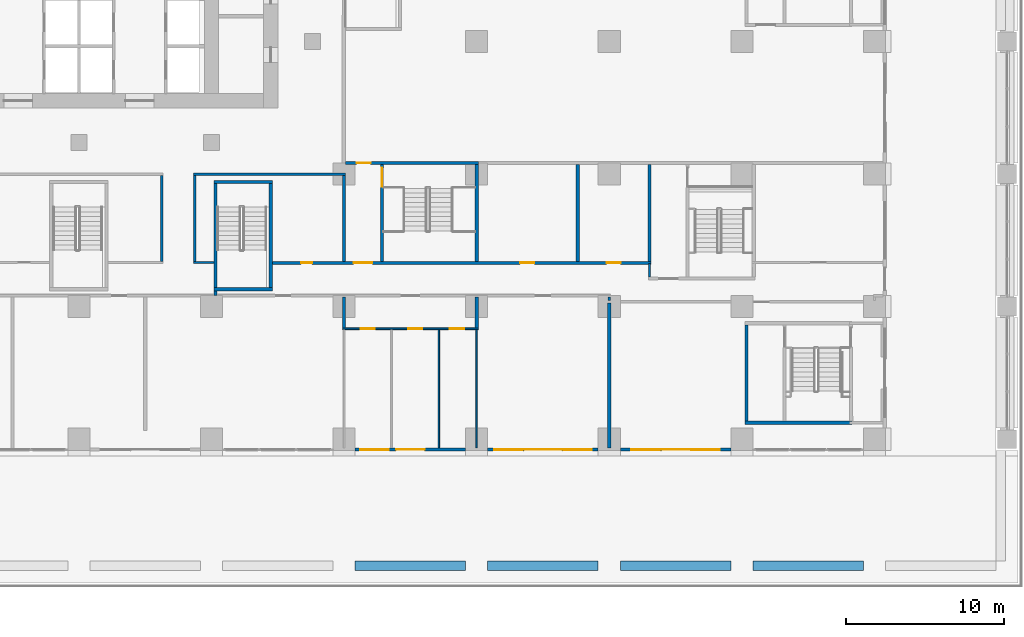
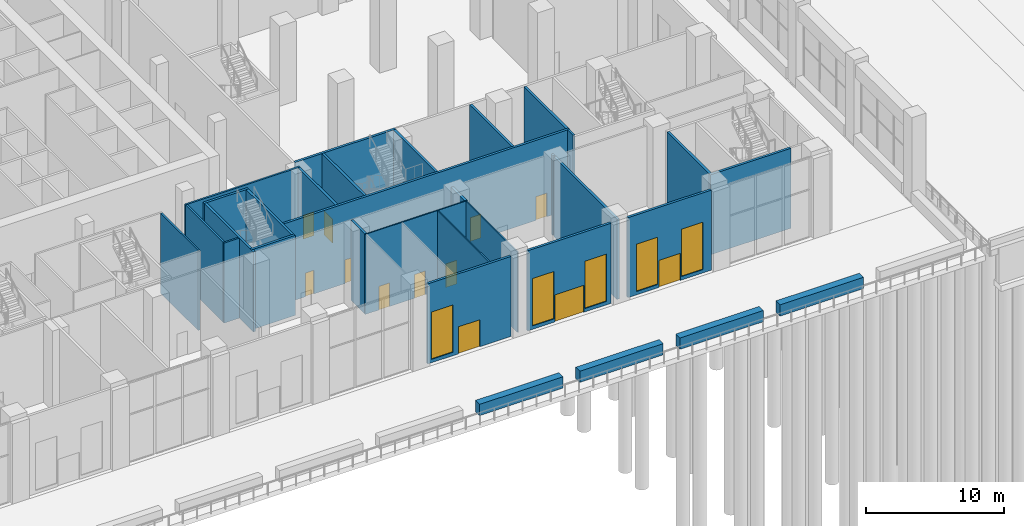
# One storey, part 26 of 53: 32 walls, 12 doors, 5 windows, 17 openings.
"""IFC4 building model written with IfcOpenShell, lengths in metres."""

from ifc_helpers import new_model, si_unit, direction, frame, frame_2d, origin, place, context, subcontext, project, spatial, rectangle, extrude, material, layer, layer_set, type_object, element, fill, save


model = new_model("IFC4")

# Units and contexts
model_context = context("Model", 3, precision=1e-05, world=origin(), true_north=direction((0.0, 1.0)))
body_context = subcontext(model_context, "Body", "Model", "MODEL_VIEW")
ifc_project = project(units=[si_unit("LENGTHUNIT", "METRE"), si_unit("AREAUNIT", "SQUARE_METRE"), si_unit("VOLUMEUNIT", "CUBIC_METRE"), si_unit("PLANEANGLEUNIT", "RADIAN"), si_unit("MASSUNIT", "GRAM", prefix="KILO")], contexts=[model_context])

# Site, building, storey
site_placement = place(None, origin())
site = spatial("IfcSite", under=ifc_project, at=site_placement, CompositionType="ELEMENT")
building_placement = place(site_placement, origin())
building = spatial("IfcBuilding", under=site, at=building_placement, Name="Vermilion Ogive Tower", CompositionType="ELEMENT")
storey_placement = place(building_placement, origin())
storey = spatial("IfcBuildingStorey", under=building, at=storey_placement, Name="L00", CompositionType="ELEMENT", Elevation=0.0)

# Wall, openings, doors
ifc_material_1 = material(Name="Gypsum board partition on steel studs", Category="steel")
ifc_layer_1 = layer(ifc_material_1, 0.10009765625)
ifc_layer_set_1 = layer_set([ifc_layer_1], Name="Partition 100 bath")
wall_type_1 = type_object("IfcWallType", Name="Partition 100 bath", PredefinedType="PARTITIONING", material=ifc_layer_set_1)
wall_1_placement = place(storey_placement, frame((16.699951171875, -22.39990234375, 0.0), z_axis=(0.0, 0.0, 1.0), x_axis=(1.0, 0.0, 0.0)))
wall_1 = element("IfcWall", 1, at=wall_1_placement, inside=storey, type_object=wall_type_1, Name="L00-FS-W-W007", PredefinedType="PARTITIONING", context=body_context, shape_type="SweptSolid", body=[
    extrude(rectangle(XDim=8.60009765625, YDim=0.10009765625, at=frame_2d((4.300048828125, 0.0))), origin(), (0.0, 0.0, 1.0), 7.10009765625),
])
opening_1_placement = place(wall_1_placement, frame((1.150146484375, 0.0, 0.0)))
opening_1 = element("IfcOpeningElement", 2, at=opening_1_placement, cuts=wall_1, Name="Opening L00S052", PredefinedType="OPENING", context=body_context, shape_type="SweptSolid", body=[
    extrude(rectangle(XDim=0.89990234375, YDim=2.10009765625, at=frame_2d((0.449951171875, 1.050048828125))), frame((0.0, 0.06005859375, 0.0), z_axis=(0.0, -1.0, 0.0), x_axis=(1.0, 0.0, 0.0)), (0.0, 0.0, 1.0), 0.1201171875),
])
opening_2_placement = place(wall_1_placement, frame((4.150146484375, 0.0, 0.0)))
opening_2 = element("IfcOpeningElement", 3, at=opening_2_placement, cuts=wall_1, Name="Opening L00S053", PredefinedType="OPENING", context=body_context, shape_type="SweptSolid", body=[
    extrude(rectangle(XDim=0.89990234375, YDim=2.10009765625, at=frame_2d((0.449951171875, 1.050048828125))), frame((0.0, 0.06005859375, 0.0), z_axis=(0.0, -1.0, 0.0), x_axis=(1.0, 0.0, 0.0)), (0.0, 0.0, 1.0), 0.1201171875),
])
opening_3_placement = place(wall_1_placement, frame((6.800048828125, 0.0, 0.0)))
opening_3 = element("IfcOpeningElement", 4, at=opening_3_placement, cuts=wall_1, Name="Opening L00S054", PredefinedType="OPENING", context=body_context, shape_type="SweptSolid", body=[
    extrude(rectangle(XDim=0.89990234375, YDim=2.10009765625, at=frame_2d((0.449951171875, 1.050048828125))), frame((0.0, 0.06005859375, 0.0), z_axis=(0.0, -1.0, 0.0), x_axis=(1.0, 0.0, 0.0)), (0.0, 0.0, 1.0), 0.1201171875),
])
ifc_material_2 = material(Name="Timber door leaf", Category="wood")
door_type_1 = type_object("IfcDoorType", Name="Room door 900 x 2100 FD30", OperationType="SINGLE_SWING_LEFT", PredefinedType="DOOR", material=ifc_material_2)
door_1_placement = place(opening_1_placement, origin())
door_1 = element("IfcDoor", 5, at=door_1_placement, inside=storey, type_object=door_type_1, Name="L00-FS-D-D052", OperationType="SINGLE_SWING_RIGHT", OverallHeight=2.10009765625, OverallWidth=0.89990234375, PredefinedType="DOOR", context=body_context, shape_type="SweptSolid", body=[
    extrude(rectangle(XDim=0.89990234375, YDim=2.10009765625, at=frame_2d((0.449951171875, 1.050048828125))), frame((0.0, 0.02490234375, 0.0), z_axis=(0.0, -1.0, 0.0), x_axis=(1.0, 0.0, 0.0)), (0.0, 0.0, 1.0), 0.050048828125),
])
fill(opening_1, door_1)
door_2_placement = place(opening_2_placement, origin())
door_2 = element("IfcDoor", 6, at=door_2_placement, inside=storey, type_object=door_type_1, Name="L00-FS-D-D053", OperationType="SINGLE_SWING_RIGHT", OverallHeight=2.10009765625, OverallWidth=0.89990234375, PredefinedType="DOOR", context=body_context, shape_type="SweptSolid", body=[
    extrude(rectangle(XDim=0.89990234375, YDim=2.10009765625, at=frame_2d((0.449951171875, 1.050048828125))), frame((0.0, 0.02490234375, 0.0), z_axis=(0.0, -1.0, 0.0), x_axis=(1.0, 0.0, 0.0)), (0.0, 0.0, 1.0), 0.050048828125),
])
fill(opening_2, door_2)
door_3_placement = place(opening_3_placement, origin())
door_3 = element("IfcDoor", 7, at=door_3_placement, inside=storey, type_object=door_type_1, Name="L00-FS-D-D054", OperationType="SINGLE_SWING_RIGHT", OverallHeight=2.10009765625, OverallWidth=0.89990234375, PredefinedType="DOOR", context=body_context, shape_type="SweptSolid", body=[
    extrude(rectangle(XDim=0.89990234375, YDim=2.10009765625, at=frame_2d((0.449951171875, 1.050048828125))), frame((0.0, 0.02490234375, 0.0), z_axis=(0.0, -1.0, 0.0), x_axis=(1.0, 0.0, 0.0)), (0.0, 0.0, 1.0), 0.050048828125),
])
fill(opening_3, door_3)

# Walls
for number, where, z_axis, x_axis, name in (
    (8, (22.800048828125, -29.949951171875, 0.0), (0.0, 0.0, 1.0), (0.0, 1.0, 0.0), "L00-FS-W-W096"),
    (9, (25.199951171875, -29.949951171875, 0.0), (0.0, 0.0, 1.0), (0.0, 1.0, 0.0), "L00-FS-W-W097"),
):
    element("IfcWall", number, at=place(storey_placement, frame(where, z_axis=z_axis, x_axis=x_axis)), inside=storey, type_object=wall_type_1, Name=name, PredefinedType="PARTITIONING", context=body_context, shape_type="SweptSolid", body=[
        extrude(rectangle(XDim=7.5, YDim=0.10009765625, at=frame_2d((3.75, 0.0))), origin(), (0.0, 0.0, 1.0), 7.10009765625),
    ])
ifc_material_3 = material(Name="Gypsum board partition on steel studs", Category="steel")
ifc_layer_2 = layer(ifc_material_3, 0.14990234375)
ifc_layer_set_2 = layer_set([ifc_layer_2], Name="Partition 150 corridor")
wall_type_2 = type_object("IfcWallType", Name="Partition 150 corridor", PredefinedType="PARTITIONING", material=ifc_layer_set_2)
wall_2_placement = place(storey_placement, frame((7.27490234375, -18.199951171875, 0.0), z_axis=(0.0, 0.0, 1.0), x_axis=(1.0, 0.0, 0.0)))
element("IfcWall", 10, at=wall_2_placement, inside=storey, type_object=wall_type_2, Name="L00-FS-W-W019", PredefinedType="PARTITIONING", context=body_context, shape_type="SweptSolid", body=[
    extrude(rectangle(XDim=1.275146484375, YDim=0.14990234375, at=frame_2d((0.6376953125, 0.0))), origin(), (0.0, 0.0, 1.0), 7.10009765625),
])
wall_3_placement = place(storey_placement, frame((7.27490234375, -12.60009765625, 0.0), z_axis=(0.0, 0.0, 1.0), x_axis=(1.0, 0.0, 0.0)))
element("IfcWall", 11, at=wall_3_placement, inside=storey, type_object=wall_type_2, Name="L00-FS-W-W024", PredefinedType="PARTITIONING", context=body_context, shape_type="SweptSolid", body=[
    extrude(rectangle(XDim=9.625, YDim=0.14990234375, at=frame_2d((4.8125, 0.0))), origin(), (0.0, 0.0, 1.0), 7.10009765625),
])
for number, where, z_axis, x_axis, name in (
    (12, (5.25, -18.125, 0.0), (0.0, 0.0, 1.0), (0.0, 1.0, 0.0), "L00-FS-W-W085"),
    (13, (7.35009765625, -18.125, 0.0), (0.0, 0.0, 1.0), (0.0, 1.0, 0.0), "L00-FS-W-W086"),
):
    element("IfcWall", number, at=place(storey_placement, frame(where, z_axis=z_axis, x_axis=x_axis)), inside=storey, type_object=wall_type_2, Name=name, PredefinedType="PARTITIONING", context=body_context, shape_type="SweptSolid", body=[
        extrude(rectangle(XDim=5.449951171875, YDim=0.14990234375, at=frame_2d((2.72509765625, 0.0))), origin(), (0.0, 0.0, 1.0), 7.10009765625),
    ])
wall_4_placement = place(storey_placement, frame((33.60009765625, -20.625, 0.0), z_axis=(0.0, 0.0, 1.0), x_axis=(0.0, 1.0, 0.0)))
element("IfcWall", 14, at=wall_4_placement, inside=storey, type_object=wall_type_2, Name="L00-FS-W-W103", PredefinedType="PARTITIONING", context=body_context, shape_type="SweptSolid", body=[
    extrude(rectangle(XDim=0.25, YDim=0.14990234375, at=frame_2d((0.125, 0.0))), origin(), (0.0, 0.0, 1.0), 7.10009765625),
])
wall_5_placement = place(storey_placement, frame((36.14990234375, -19.125, 0.0), z_axis=(0.0, 0.0, 1.0), x_axis=(0.0, 1.0, 0.0)))
element("IfcWall", 15, at=wall_5_placement, inside=storey, type_object=wall_type_2, Name="L00-FS-W-W105", PredefinedType="PARTITIONING", context=body_context, shape_type="SweptSolid", body=[
    extrude(rectangle(XDim=0.85009765625, YDim=0.14990234375, at=frame_2d((0.425048828125, 0.0))), origin(), (0.0, 0.0, 1.0), 7.10009765625),
])
ifc_material_4 = material(Name="Gypsum board partition on steel studs", Category="steel")
ifc_layer_3 = layer(ifc_material_4, 0.199951171875)
ifc_layer_set_3 = layer_set([ifc_layer_3], Name="Partition 200 party")
wall_type_3 = type_object("IfcWallType", Name="Partition 200 party", PredefinedType="PARTITIONING", material=ifc_layer_set_3)
wall_6_placement = place(storey_placement, frame((16.800048828125, -22.35009765625, 0.0), z_axis=(0.0, 0.0, 1.0), x_axis=(0.0, 1.0, 0.0)))
element("IfcWall", 16, at=wall_6_placement, inside=storey, type_object=wall_type_3, Name="L00-FS-W-W089", PredefinedType="PARTITIONING", context=body_context, shape_type="SweptSolid", body=[
    extrude(rectangle(XDim=1.97509765625, YDim=0.199951171875, at=frame_2d((0.987548828125, 0.0))), origin(), (0.0, 0.0, 1.0), 7.10009765625),
])
wall_7_placement = place(storey_placement, frame((16.800048828125, -18.125, 0.0), z_axis=(0.0, 0.0, 1.0), x_axis=(0.0, 1.0, 0.0)))
element("IfcWall", 17, at=wall_7_placement, inside=storey, type_object=wall_type_3, Name="L00-FS-W-W090", PredefinedType="PARTITIONING", context=body_context, shape_type="SweptSolid", body=[
    extrude(rectangle(XDim=5.449951171875, YDim=0.199951171875, at=frame_2d((2.72509765625, 0.0))), origin(), (0.0, 0.0, 1.0), 7.10009765625),
])
wall_8_placement = place(storey_placement, frame((25.199951171875, -22.35009765625, 0.0), z_axis=(0.0, 0.0, 1.0), x_axis=(0.0, 1.0, 0.0)))
element("IfcWall", 18, at=wall_8_placement, inside=storey, type_object=wall_type_3, Name="L00-FS-W-W098", PredefinedType="PARTITIONING", context=body_context, shape_type="SweptSolid", body=[
    extrude(rectangle(XDim=1.97509765625, YDim=0.199951171875, at=frame_2d((0.987548828125, 0.0))), origin(), (0.0, 0.0, 1.0), 7.10009765625),
])
wall_9_placement = place(storey_placement, frame((31.60009765625, -18.125, 0.0), z_axis=(0.0, 0.0, 1.0), x_axis=(0.0, 1.0, 0.0)))
element("IfcWall", 19, at=wall_9_placement, inside=storey, type_object=wall_type_3, Name="L00-FS-W-W101", PredefinedType="PARTITIONING", context=body_context, shape_type="SweptSolid", body=[
    extrude(rectangle(XDim=6.125, YDim=0.199951171875, at=frame_2d((3.0625, 0.0))), origin(), (0.0, 0.0, 1.0), 7.10009765625),
])
wall_10_placement = place(storey_placement, frame((33.60009765625, -29.949951171875, 0.0), z_axis=(0.0, 0.0, 1.0), x_axis=(0.0, 1.0, 0.0)))
element("IfcWall", 20, at=wall_10_placement, inside=storey, type_object=wall_type_3, Name="L00-FS-W-W102", PredefinedType="PARTITIONING", context=body_context, shape_type="SweptSolid", body=[
    extrude(rectangle(XDim=9.175048828125, YDim=0.199951171875, at=frame_2d((4.58740234375, 0.0))), origin(), (0.0, 0.0, 1.0), 7.10009765625),
])
wall_11_placement = place(storey_placement, frame((36.14990234375, -18.125, 0.0), z_axis=(0.0, 0.0, 1.0), x_axis=(0.0, 1.0, 0.0)))
element("IfcWall", 21, at=wall_11_placement, inside=storey, type_object=wall_type_3, Name="L00-FS-W-W106", PredefinedType="PARTITIONING", context=body_context, shape_type="SweptSolid", body=[
    extrude(rectangle(XDim=6.125, YDim=0.199951171875, at=frame_2d((3.0625, 0.0))), origin(), (0.0, 0.0, 1.0), 7.10009765625),
])
wall_12_placement = place(storey_placement, frame((42.300048828125, -28.25, 0.0), z_axis=(0.0, 0.0, 1.0), x_axis=(0.0, 1.0, 0.0)))
element("IfcWall", 22, at=wall_12_placement, inside=storey, type_object=wall_type_3, Name="L00-FS-W-W112", PredefinedType="PARTITIONING", context=body_context, shape_type="SweptSolid", body=[
    extrude(rectangle(XDim=6.10009765625, YDim=0.199951171875, at=frame_2d((3.050048828125, 0.0))), origin(), (0.0, 0.0, 1.0), 7.10009765625),
])
ifc_material_5 = material(Name="Concrete B60", Category="concrete")
ifc_layer_4 = layer(ifc_material_5, 0.199951171875)
ifc_layer_set_4 = layer_set([ifc_layer_4], Name="Stair shaft wall 200 Concrete B60")
wall_type_4 = type_object("IfcWallType", Name="Stair shaft wall 200 Concrete B60", PredefinedType="SOLIDWALL", material=ifc_layer_set_4)
wall_13_placement = place(storey_placement, frame((42.199951171875, -28.35009765625, 0.0), z_axis=(0.0, 0.0, 1.0), x_axis=(1.0, 0.0, 0.0)))
element("IfcWall", 23, at=wall_13_placement, inside=storey, type_object=wall_type_4, Name="L00-FS-W-W004", PredefinedType="SOLIDWALL", context=body_context, shape_type="SweptSolid", body=[
    extrude(rectangle(XDim=6.775146484375, YDim=0.199951171875, at=frame_2d((3.3876953125, 0.0))), origin(), (0.0, 0.0, 1.0), 7.10009765625),
])

# Wall, openings, doors
wall_14_placement = place(storey_placement, frame((12.25, -18.224853515625, 0.0), z_axis=(0.0, 0.0, 1.0), x_axis=(1.0, 0.0, 0.0)))
wall_14 = element("IfcWall", 24, at=wall_14_placement, inside=storey, type_object=wall_type_4, Name="L00-FS-W-W020", PredefinedType="SOLIDWALL", context=body_context, shape_type="SweptSolid", body=[
    extrude(rectangle(XDim=24.0, YDim=0.199951171875, at=frame_2d((12.0, 0.0))), origin(), (0.0, 0.0, 1.0), 7.10009765625),
])
opening_4_placement = place(wall_14_placement, frame((5.14990234375, 0.0, 0.0)))
opening_4 = element("IfcOpeningElement", 25, at=opening_4_placement, cuts=wall_14, Name="Opening L00S019", PredefinedType="OPENING", context=body_context, shape_type="SweptSolid", body=[
    extrude(rectangle(XDim=1.199951171875, YDim=2.10009765625, at=frame_2d((0.60009765625, 1.050048828125))), frame((0.0, 0.10986328125, 0.0), z_axis=(0.0, -1.0, 0.0), x_axis=(1.0, 0.0, 0.0)), (0.0, 0.0, 1.0), 0.219970703125),
])
opening_5_placement = place(wall_14_placement, frame((15.699951171875, 0.0, 0.0)))
opening_5 = element("IfcOpeningElement", 26, at=opening_5_placement, cuts=wall_14, Name="Opening L00S048", PredefinedType="OPENING", context=body_context, shape_type="SweptSolid", body=[
    extrude(rectangle(XDim=0.89990234375, YDim=2.10009765625, at=frame_2d((0.449951171875, 1.050048828125))), frame((0.0, 0.10986328125, 0.0), z_axis=(0.0, -1.0, 0.0), x_axis=(1.0, 0.0, 0.0)), (0.0, 0.0, 1.0), 0.219970703125),
])
opening_6_placement = place(wall_14_placement, frame((21.175048828125, 0.0, 0.0)))
opening_6 = element("IfcOpeningElement", 27, at=opening_6_placement, cuts=wall_14, Name="Opening L00S049", PredefinedType="OPENING", context=body_context, shape_type="SweptSolid", body=[
    extrude(rectangle(XDim=0.89990234375, YDim=2.10009765625, at=frame_2d((0.449951171875, 1.050048828125))), frame((0.0, 0.10986328125, 0.0), z_axis=(0.0, -1.0, 0.0), x_axis=(1.0, 0.0, 0.0)), (0.0, 0.0, 1.0), 0.219970703125),
])
opening_7_placement = place(wall_14_placement, frame((1.824951171875, 0.0, 0.0)))
opening_7 = element("IfcOpeningElement", 28, at=opening_7_placement, cuts=wall_14, Name="Opening L00S066", PredefinedType="OPENING", context=body_context, shape_type="SweptSolid", body=[
    extrude(rectangle(XDim=0.699951171875, YDim=2.10009765625, at=frame_2d((0.35009765625, 1.050048828125))), frame((0.0, 0.10986328125, 0.0), z_axis=(0.0, -1.0, 0.0), x_axis=(1.0, 0.0, 0.0)), (0.0, 0.0, 1.0), 0.219970703125),
])
ifc_material_6 = material(Name="Timber door leaf", Category="wood")
door_type_2 = type_object("IfcDoorType", Name="Room door 700 x 2100 FD30", OperationType="SINGLE_SWING_LEFT", PredefinedType="DOOR", material=ifc_material_6)
door_4_placement = place(opening_7_placement, origin())
door_4 = element("IfcDoor", 29, at=door_4_placement, inside=storey, type_object=door_type_2, Name="L00-FS-D-D066", OperationType="SINGLE_SWING_LEFT", OverallHeight=2.10009765625, OverallWidth=0.699951171875, PredefinedType="DOOR", context=body_context, shape_type="SweptSolid", body=[
    extrude(rectangle(XDim=0.699951171875, YDim=2.10009765625, at=frame_2d((0.35009765625, 1.050048828125))), frame((0.0, 0.02490234375, 0.0), z_axis=(0.0, -1.0, 0.0), x_axis=(1.0, 0.0, 0.0)), (0.0, 0.0, 1.0), 0.050048828125),
])
fill(opening_7, door_4)
door_5_placement = place(opening_5_placement, origin())
door_5 = element("IfcDoor", 30, at=door_5_placement, inside=storey, type_object=door_type_1, Name="L00-FS-D-D048", OperationType="SINGLE_SWING_LEFT", OverallHeight=2.10009765625, OverallWidth=0.89990234375, PredefinedType="DOOR", context=body_context, shape_type="SweptSolid", body=[
    extrude(rectangle(XDim=0.89990234375, YDim=2.10009765625, at=frame_2d((0.449951171875, 1.050048828125))), frame((0.0, 0.02490234375, 0.0), z_axis=(0.0, -1.0, 0.0), x_axis=(1.0, 0.0, 0.0)), (0.0, 0.0, 1.0), 0.050048828125),
])
fill(opening_5, door_5)
door_6_placement = place(opening_6_placement, origin())
door_6 = element("IfcDoor", 31, at=door_6_placement, inside=storey, type_object=door_type_1, Name="L00-FS-D-D049", OperationType="SINGLE_SWING_LEFT", OverallHeight=2.10009765625, OverallWidth=0.89990234375, PredefinedType="DOOR", context=body_context, shape_type="SweptSolid", body=[
    extrude(rectangle(XDim=0.89990234375, YDim=2.10009765625, at=frame_2d((0.449951171875, 1.050048828125))), frame((0.0, 0.02490234375, 0.0), z_axis=(0.0, -1.0, 0.0), x_axis=(1.0, 0.0, 0.0)), (0.0, 0.0, 1.0), 0.050048828125),
])
fill(opening_6, door_6)
ifc_material_7 = material(Name="Timber door leaf", Category="wood")
door_type_3 = type_object("IfcDoorType", Name="Stair door 1200 x 2100 FD60S", OperationType="SINGLE_SWING_LEFT", PredefinedType="DOOR", material=ifc_material_7)
door_7_placement = place(opening_4_placement, origin())
door_7 = element("IfcDoor", 32, at=door_7_placement, inside=storey, type_object=door_type_3, Name="L00-FS-D-D019", OperationType="SINGLE_SWING_LEFT", OverallHeight=2.10009765625, OverallWidth=1.199951171875, PredefinedType="DOOR", context=body_context, shape_type="SweptSolid", body=[
    extrude(rectangle(XDim=1.199951171875, YDim=2.10009765625, at=frame_2d((0.60009765625, 1.050048828125))), frame((0.0, 0.02490234375, 0.0), z_axis=(0.0, -1.0, 0.0), x_axis=(1.0, 0.0, 0.0)), (0.0, 0.0, 1.0), 0.050048828125),
])
fill(opening_4, door_7)

# Wall, opening, door
wall_15_placement = place(storey_placement, frame((16.875, -11.89990234375, 0.0), z_axis=(0.0, 0.0, 1.0), x_axis=(1.0, 0.0, 0.0)))
wall_15 = element("IfcWall", 33, at=wall_15_placement, inside=storey, type_object=wall_type_4, Name="L00-FS-W-W026", PredefinedType="SOLIDWALL", context=body_context, shape_type="SweptSolid", body=[
    extrude(rectangle(XDim=8.425048828125, YDim=0.199951171875, at=frame_2d((4.21240234375, 0.0))), origin(), (0.0, 0.0, 1.0), 7.10009765625),
])
opening_8_placement = place(wall_15_placement, frame((0.71240234375, 0.0, 0.0)))
opening_8 = element("IfcOpeningElement", 34, at=opening_8_placement, cuts=wall_15, Name="Opening L00S043", PredefinedType="OPENING", context=body_context, shape_type="SweptSolid", body=[
    extrude(rectangle(XDim=0.89990234375, YDim=2.10009765625, at=frame_2d((0.449951171875, 1.050048828125))), frame((0.0, 0.10986328125, 0.0), z_axis=(0.0, -1.0, 0.0), x_axis=(1.0, 0.0, 0.0)), (0.0, 0.0, 1.0), 0.219970703125),
])
door_8_placement = place(opening_8_placement, origin())
door_8 = element("IfcDoor", 35, at=door_8_placement, inside=storey, type_object=door_type_1, Name="L00-FS-D-D043", OperationType="SINGLE_SWING_LEFT", OverallHeight=2.10009765625, OverallWidth=0.89990234375, PredefinedType="DOOR", context=body_context, shape_type="SweptSolid", body=[
    extrude(rectangle(XDim=0.89990234375, YDim=2.10009765625, at=frame_2d((0.449951171875, 1.050048828125))), frame((0.0, 0.02490234375, 0.0), z_axis=(0.0, -1.0, 0.0), x_axis=(1.0, 0.0, 0.0)), (0.0, 0.0, 1.0), 0.050048828125),
])
fill(opening_8, door_8)

wall_16_placement = place(storey_placement, frame((19.199951171875, -18.125, 0.0), z_axis=(0.0, 0.0, 1.0), x_axis=(0.0, 1.0, 0.0)))
wall_16 = element("IfcWall", 36, at=wall_16_placement, inside=storey, type_object=wall_type_4, Name="L00-FS-W-W093", PredefinedType="SOLIDWALL", context=body_context, shape_type="SweptSolid", body=[
    extrude(rectangle(XDim=6.125, YDim=0.199951171875, at=frame_2d((3.0625, 0.0))), origin(), (0.0, 0.0, 1.0), 7.10009765625),
])
opening_9_placement = place(wall_16_placement, frame((4.72509765625, 0.0, 0.0)))
opening_9 = element("IfcOpeningElement", 37, at=opening_9_placement, cuts=wall_16, Name="Opening L00S003", PredefinedType="OPENING", context=body_context, shape_type="SweptSolid", body=[
    extrude(rectangle(XDim=1.199951171875, YDim=2.10009765625, at=frame_2d((0.60009765625, 1.050048828125))), frame((0.0, 0.10986328125, 0.0), z_axis=(0.0, -1.0, 0.0), x_axis=(1.0, 0.0, 0.0)), (0.0, 0.0, 1.0), 0.219970703125),
])
door_9_placement = place(opening_9_placement, origin())
door_9 = element("IfcDoor", 38, at=door_9_placement, inside=storey, type_object=door_type_3, Name="L00-FS-D-D003", OperationType="DOUBLE_DOOR_SINGLE_SWING", OverallHeight=2.10009765625, OverallWidth=1.199951171875, PredefinedType="DOOR", context=body_context, shape_type="SweptSolid", body=[
    extrude(rectangle(XDim=1.199951171875, YDim=2.10009765625, at=frame_2d((0.60009765625, 1.050048828125))), frame((0.0, 0.02490234375, 0.0), z_axis=(0.0, -1.0, 0.0), x_axis=(1.0, 0.0, 0.0)), (0.0, 0.0, 1.0), 0.050048828125),
])
fill(opening_9, door_9)

# Walls
wall_17_placement = place(storey_placement, frame((25.199951171875, -18.125, 0.0), z_axis=(0.0, 0.0, 1.0), x_axis=(0.0, 1.0, 0.0)))
element("IfcWall", 39, at=wall_17_placement, inside=storey, type_object=wall_type_4, Name="L00-FS-W-W099", PredefinedType="SOLIDWALL", context=body_context, shape_type="SweptSolid", body=[
    extrude(rectangle(XDim=6.125, YDim=0.199951171875, at=frame_2d((3.0625, 0.0))), origin(), (0.0, 0.0, 1.0), 7.10009765625),
])
for number, where, z_axis, x_axis, name in (
    (40, (8.550048828125, -19.89990234375, 0.0), (0.0, 0.0, 1.0), (1.0, 0.0, 0.0), "L00-SW-ST5-S1"),
    (41, (8.550048828125, -13.10009765625, 0.0), (0.0, 0.0, 1.0), (1.0, 0.0, 0.0), "L00-SW-ST5-N1"),
):
    element("IfcWall", number, at=place(storey_placement, frame(where, z_axis=z_axis, x_axis=x_axis)), inside=storey, type_object=wall_type_4, Name=name, PredefinedType="SOLIDWALL", context=body_context, shape_type="SweptSolid", body=[
        extrude(rectangle(XDim=3.699951171875, YDim=0.199951171875, at=frame_2d((1.85009765625, 0.0))), origin(), (0.0, 0.0, 1.0), 7.10009765625),
    ])
wall_18_placement = place(storey_placement, frame((8.64990234375, -20.300048828125, 0.0), z_axis=(0.0, 0.0, 1.0), x_axis=(0.0, 1.0, 0.0)))
element("IfcWall", 42, at=wall_18_placement, inside=storey, type_object=wall_type_4, Name="L00-SW-ST5-W1", PredefinedType="SOLIDWALL", context=body_context, shape_type="SweptSolid", body=[
    extrude(rectangle(XDim=7.10009765625, YDim=0.199951171875, at=frame_2d((3.550048828125, 0.0))), origin(), (0.0, 0.0, 1.0), 7.10009765625),
])
wall_19_placement = place(storey_placement, frame((12.14990234375, -19.800048828125, 0.0), z_axis=(0.0, 0.0, 1.0), x_axis=(0.0, 1.0, 0.0)))
element("IfcWall", 43, at=wall_19_placement, inside=storey, type_object=wall_type_4, Name="L00-SW-ST5-E1", PredefinedType="SOLIDWALL", context=body_context, shape_type="SweptSolid", body=[
    extrude(rectangle(XDim=6.60009765625, YDim=0.199951171875, at=frame_2d((3.300048828125, 0.0))), origin(), (0.0, 0.0, 1.0), 7.10009765625),
])
ifc_material_8 = material(Name="Concrete B40", Category="concrete")
ifc_layer_5 = layer(ifc_material_8, 0.60009765625)
ifc_layer_set_5 = layer_set([ifc_layer_5], Name="Terrace planter")
wall_type_5 = type_object("IfcWallType", Name="Terrace planter", PredefinedType="USERDEFINED", material=ifc_layer_set_5)
for number, where, z_axis, x_axis, name in (
    (44, (49.699951171875, -37.39990234375, 0.0), (0.0, 0.0, 1.0), (-1.0, 0.0, 0.0), "Terrace planter 1.1.23"),
    (45, (41.300048828125, -37.39990234375, 0.0), (0.0, 0.0, 1.0), (-1.0, 0.0, 0.0), "Terrace planter 1.1.24"),
    (46, (32.89990234375, -37.39990234375, 0.0), (0.0, 0.0, 1.0), (-1.0, 0.0, 0.0), "Terrace planter 1.1.25"),
    (47, (24.5, -37.39990234375, 0.0), (0.0, 0.0, 1.0), (-1.0, 0.0, 0.0), "Terrace planter 1.1.26"),
):
    element("IfcWall", number, at=place(storey_placement, frame(where, z_axis=z_axis, x_axis=x_axis)), inside=storey, type_object=wall_type_5, Name=name, ObjectType="PLANTER", PredefinedType="USERDEFINED", context=body_context, shape_type="SweptSolid", body=[
        extrude(rectangle(XDim=7.0, YDim=0.60009765625, at=frame_2d((3.5, 0.0))), origin(), (0.0, 0.0, 1.0), 1.0),
    ])

# Wall, openings, window, door
ifc_material_9 = material(Name="Aluminium window wall framing", Category="aluminium")
ifc_layer_6 = layer(ifc_material_9, 0.199951171875)
ifc_layer_set_6 = layer_set([ifc_layer_6], Name="Window wall")
wall_type_6 = type_object("IfcWallType", Name="Window wall", PredefinedType="STANDARD", material=ifc_layer_set_6)
wall_20_placement = place(storey_placement, frame((24.5, -30.050048828125, 0.0), z_axis=(0.0, 0.0, 1.0), x_axis=(-1.0, 0.0, 0.0)))
wall_20 = element("IfcWall", 48, at=wall_20_placement, inside=storey, type_object=wall_type_6, Name="Window wall S7", PredefinedType="STANDARD", context=body_context, shape_type="SweptSolid", body=[
    extrude(rectangle(XDim=7.0, YDim=0.199951171875, at=frame_2d((3.5, 0.0))), origin(), (0.0, 0.0, 1.0), 7.10009765625),
])
opening_10_placement = place(wall_20_placement, frame((4.8798828125, 0.0, 0.300048828125)))
opening_10 = element("IfcOpeningElement", 49, at=opening_10_placement, cuts=wall_20, Name="Opening P-S7A", PredefinedType="OPENING", context=body_context, shape_type="SweptSolid", body=[
    extrude(rectangle(XDim=1.800048828125, YDim=4.199951171875, at=frame_2d((0.89990234375, 2.10009765625))), frame((0.0, 0.10986328125, 0.0), z_axis=(0.0, -1.0, 0.0), x_axis=(1.0, 0.0, 0.0)), (0.0, 0.0, 1.0), 0.219970703125),
])
opening_11_placement = place(wall_20_placement, frame((2.60009765625, 0.0, 0.0)))
opening_11 = element("IfcOpeningElement", 50, at=opening_11_placement, cuts=wall_20, Name="Opening D2-S7", PredefinedType="OPENING", context=body_context, shape_type="SweptSolid", body=[
    extrude(rectangle(XDim=1.800048828125, YDim=2.39990234375, at=frame_2d((0.89990234375, 1.199951171875))), frame((0.0, 0.10986328125, 0.0), z_axis=(0.0, -1.0, 0.0), x_axis=(1.0, 0.0, 0.0)), (0.0, 0.0, 1.0), 0.219970703125),
])
ifc_material_10 = material(Name="Aluminium framed double glazing", Category="aluminium")
window_type = type_object("IfcWindowType", Name="Podium window P 1800x4200 sill 300", PartitioningType="SINGLE_PANEL", PredefinedType="WINDOW", material=ifc_material_10)
window_1_placement = place(opening_10_placement, origin())
window_1 = element("IfcWindow", 51, at=window_1_placement, inside=storey, type_object=window_type, Name="Window S7A", OverallHeight=4.199951171875, OverallWidth=1.800048828125, PartitioningType="SINGLE_PANEL", PredefinedType="WINDOW", context=body_context, shape_type="SweptSolid", body=[
    extrude(rectangle(XDim=1.800048828125, YDim=4.199951171875, at=frame_2d((0.89990234375, 2.10009765625))), frame((0.0, 0.030029296875, 0.0), z_axis=(0.0, -1.0, 0.0), x_axis=(1.0, 0.0, 0.0)), (0.0, 0.0, 1.0), 0.06005859375),
])
fill(opening_10, window_1)
ifc_material_11 = material(Name="Aluminium framed glazed door", Category="aluminium")
door_type_4 = type_object("IfcDoorType", Name="Terrace door D2", OperationType="SINGLE_SWING_LEFT", PredefinedType="DOOR", material=ifc_material_11)
door_10_placement = place(opening_11_placement, origin())
door_10 = element("IfcDoor", 52, at=door_10_placement, inside=storey, type_object=door_type_4, Name="Terrace door S7", OperationType="SINGLE_SWING_LEFT", OverallHeight=2.39990234375, OverallWidth=1.800048828125, PredefinedType="DOOR", context=body_context, shape_type="SweptSolid", body=[
    extrude(rectangle(XDim=1.800048828125, YDim=2.39990234375, at=frame_2d((0.89990234375, 1.199951171875))), frame((0.0, 0.02490234375, 0.0), z_axis=(0.0, -1.0, 0.0), x_axis=(1.0, 0.0, 0.0)), (0.0, 0.0, 1.0), 0.050048828125),
])
fill(opening_11, door_10)

# Wall, openings, door, windows
wall_21_placement = place(storey_placement, frame((32.89990234375, -30.050048828125, 0.0), z_axis=(0.0, 0.0, 1.0), x_axis=(-1.0, 0.0, 0.0)))
wall_21 = element("IfcWall", 53, at=wall_21_placement, inside=storey, type_object=wall_type_6, Name="Window wall S8", PredefinedType="STANDARD", context=body_context, shape_type="SweptSolid", body=[
    extrude(rectangle(XDim=7.0, YDim=0.199951171875, at=frame_2d((3.5, 0.0))), origin(), (0.0, 0.0, 1.0), 7.10009765625),
])
opening_12_placement = place(wall_21_placement, frame((4.800048828125, 0.0, 0.300048828125)))
opening_12 = element("IfcOpeningElement", 54, at=opening_12_placement, cuts=wall_21, Name="Opening P-S8A", PredefinedType="OPENING", context=body_context, shape_type="SweptSolid", body=[
    extrude(rectangle(XDim=1.800048828125, YDim=4.199951171875, at=frame_2d((0.89990234375, 2.10009765625))), frame((0.0, 0.10986328125, 0.0), z_axis=(0.0, -1.0, 0.0), x_axis=(1.0, 0.0, 0.0)), (0.0, 0.0, 1.0), 0.219970703125),
])
opening_13_placement = place(wall_21_placement, frame((2.300048828125, 0.0, 0.0)))
opening_13 = element("IfcOpeningElement", 55, at=opening_13_placement, cuts=wall_21, Name="Opening E1-S8", PredefinedType="OPENING", context=body_context, shape_type="SweptSolid", body=[
    extrude(rectangle(XDim=2.39990234375, YDim=2.39990234375, at=frame_2d((1.199951171875, 1.199951171875))), frame((0.0, 0.10986328125, 0.0), z_axis=(0.0, -1.0, 0.0), x_axis=(1.0, 0.0, 0.0)), (0.0, 0.0, 1.0), 0.219970703125),
])
opening_14_placement = place(wall_21_placement, frame((0.39990234375, 0.0, 0.300048828125)))
opening_14 = element("IfcOpeningElement", 56, at=opening_14_placement, cuts=wall_21, Name="Opening P-S8B", PredefinedType="OPENING", context=body_context, shape_type="SweptSolid", body=[
    extrude(rectangle(XDim=1.800048828125, YDim=4.199951171875, at=frame_2d((0.89990234375, 2.10009765625))), frame((0.0, 0.10986328125, 0.0), z_axis=(0.0, -1.0, 0.0), x_axis=(1.0, 0.0, 0.0)), (0.0, 0.0, 1.0), 0.219970703125),
])
ifc_material_12 = material(Name="Aluminium framed glazed door", Category="aluminium")
door_type_5 = type_object("IfcDoorType", Name="Entrance door E1", OperationType="DOUBLE_DOOR_SINGLE_SWING", PredefinedType="DOOR", material=ifc_material_12)
door_11_placement = place(opening_13_placement, origin())
door_11 = element("IfcDoor", 57, at=door_11_placement, inside=storey, type_object=door_type_5, Name="Entrance door S8", OperationType="SINGLE_SWING_LEFT", OverallHeight=2.39990234375, OverallWidth=2.39990234375, PredefinedType="DOOR", context=body_context, shape_type="SweptSolid", body=[
    extrude(rectangle(XDim=2.39990234375, YDim=2.39990234375, at=frame_2d((1.199951171875, 1.199951171875))), frame((0.0, 0.02490234375, 0.0), z_axis=(0.0, -1.0, 0.0), x_axis=(1.0, 0.0, 0.0)), (0.0, 0.0, 1.0), 0.050048828125),
])
fill(opening_13, door_11)
window_2_placement = place(opening_12_placement, origin())
window_2 = element("IfcWindow", 58, at=window_2_placement, inside=storey, type_object=window_type, Name="Window S8A", OverallHeight=4.199951171875, OverallWidth=1.800048828125, PartitioningType="SINGLE_PANEL", PredefinedType="WINDOW", context=body_context, shape_type="SweptSolid", body=[
    extrude(rectangle(XDim=1.800048828125, YDim=4.199951171875, at=frame_2d((0.89990234375, 2.10009765625))), frame((0.0, 0.030029296875, 0.0), z_axis=(0.0, -1.0, 0.0), x_axis=(1.0, 0.0, 0.0)), (0.0, 0.0, 1.0), 0.06005859375),
])
fill(opening_12, window_2)
window_3_placement = place(opening_14_placement, origin())
window_3 = element("IfcWindow", 59, at=window_3_placement, inside=storey, type_object=window_type, Name="Window S8B", OverallHeight=4.199951171875, OverallWidth=1.800048828125, PartitioningType="SINGLE_PANEL", PredefinedType="WINDOW", context=body_context, shape_type="SweptSolid", body=[
    extrude(rectangle(XDim=1.800048828125, YDim=4.199951171875, at=frame_2d((0.89990234375, 2.10009765625))), frame((0.0, 0.030029296875, 0.0), z_axis=(0.0, -1.0, 0.0), x_axis=(1.0, 0.0, 0.0)), (0.0, 0.0, 1.0), 0.06005859375),
])
fill(opening_14, window_3)

# Wall, openings, windows, door
wall_22_placement = place(storey_placement, frame((41.300048828125, -30.050048828125, 0.0), z_axis=(0.0, 0.0, 1.0), x_axis=(-1.0, 0.0, 0.0)))
wall_22 = element("IfcWall", 60, at=wall_22_placement, inside=storey, type_object=wall_type_6, Name="Window wall S9", PredefinedType="STANDARD", context=body_context, shape_type="SweptSolid", body=[
    extrude(rectangle(XDim=7.0, YDim=0.199951171875, at=frame_2d((3.5, 0.0))), origin(), (0.0, 0.0, 1.0), 7.10009765625),
])
opening_15_placement = place(wall_22_placement, frame((4.5, 0.0, 0.300048828125)))
opening_15 = element("IfcOpeningElement", 61, at=opening_15_placement, cuts=wall_22, Name="Opening P-S9A", PredefinedType="OPENING", context=body_context, shape_type="SweptSolid", body=[
    extrude(rectangle(XDim=1.800048828125, YDim=4.199951171875, at=frame_2d((0.89990234375, 2.10009765625))), frame((0.0, 0.10986328125, 0.0), z_axis=(0.0, -1.0, 0.0), x_axis=(1.0, 0.0, 0.0)), (0.0, 0.0, 1.0), 0.219970703125),
])
opening_16_placement = place(wall_22_placement, frame((2.60009765625, 0.0, 0.0)))
opening_16 = element("IfcOpeningElement", 62, at=opening_16_placement, cuts=wall_22, Name="Opening D2-S9", PredefinedType="OPENING", context=body_context, shape_type="SweptSolid", body=[
    extrude(rectangle(XDim=1.800048828125, YDim=2.39990234375, at=frame_2d((0.89990234375, 1.199951171875))), frame((0.0, 0.10986328125, 0.0), z_axis=(0.0, -1.0, 0.0), x_axis=(1.0, 0.0, 0.0)), (0.0, 0.0, 1.0), 0.219970703125),
])
opening_17_placement = place(wall_22_placement, frame((0.699951171875, 0.0, 0.300048828125)))
opening_17 = element("IfcOpeningElement", 63, at=opening_17_placement, cuts=wall_22, Name="Opening P-S9B", PredefinedType="OPENING", context=body_context, shape_type="SweptSolid", body=[
    extrude(rectangle(XDim=1.800048828125, YDim=4.199951171875, at=frame_2d((0.89990234375, 2.10009765625))), frame((0.0, 0.10986328125, 0.0), z_axis=(0.0, -1.0, 0.0), x_axis=(1.0, 0.0, 0.0)), (0.0, 0.0, 1.0), 0.219970703125),
])
window_4_placement = place(opening_15_placement, origin())
window_4 = element("IfcWindow", 64, at=window_4_placement, inside=storey, type_object=window_type, Name="Window S9A", OverallHeight=4.199951171875, OverallWidth=1.800048828125, PartitioningType="SINGLE_PANEL", PredefinedType="WINDOW", context=body_context, shape_type="SweptSolid", body=[
    extrude(rectangle(XDim=1.800048828125, YDim=4.199951171875, at=frame_2d((0.89990234375, 2.10009765625))), frame((0.0, 0.030029296875, 0.0), z_axis=(0.0, -1.0, 0.0), x_axis=(1.0, 0.0, 0.0)), (0.0, 0.0, 1.0), 0.06005859375),
])
fill(opening_15, window_4)
window_5_placement = place(opening_17_placement, origin())
window_5 = element("IfcWindow", 65, at=window_5_placement, inside=storey, type_object=window_type, Name="Window S9B", OverallHeight=4.199951171875, OverallWidth=1.800048828125, PartitioningType="SINGLE_PANEL", PredefinedType="WINDOW", context=body_context, shape_type="SweptSolid", body=[
    extrude(rectangle(XDim=1.800048828125, YDim=4.199951171875, at=frame_2d((0.89990234375, 2.10009765625))), frame((0.0, 0.030029296875, 0.0), z_axis=(0.0, -1.0, 0.0), x_axis=(1.0, 0.0, 0.0)), (0.0, 0.0, 1.0), 0.06005859375),
])
fill(opening_17, window_5)
door_12_placement = place(opening_16_placement, origin())
door_12 = element("IfcDoor", 66, at=door_12_placement, inside=storey, type_object=door_type_4, Name="Terrace door S9", OperationType="SINGLE_SWING_LEFT", OverallHeight=2.39990234375, OverallWidth=1.800048828125, PredefinedType="DOOR", context=body_context, shape_type="SweptSolid", body=[
    extrude(rectangle(XDim=1.800048828125, YDim=2.39990234375, at=frame_2d((0.89990234375, 1.199951171875))), frame((0.0, 0.02490234375, 0.0), z_axis=(0.0, -1.0, 0.0), x_axis=(1.0, 0.0, 0.0)), (0.0, 0.0, 1.0), 0.050048828125),
])
fill(opening_16, door_12)

save(model, "model.ifc")
